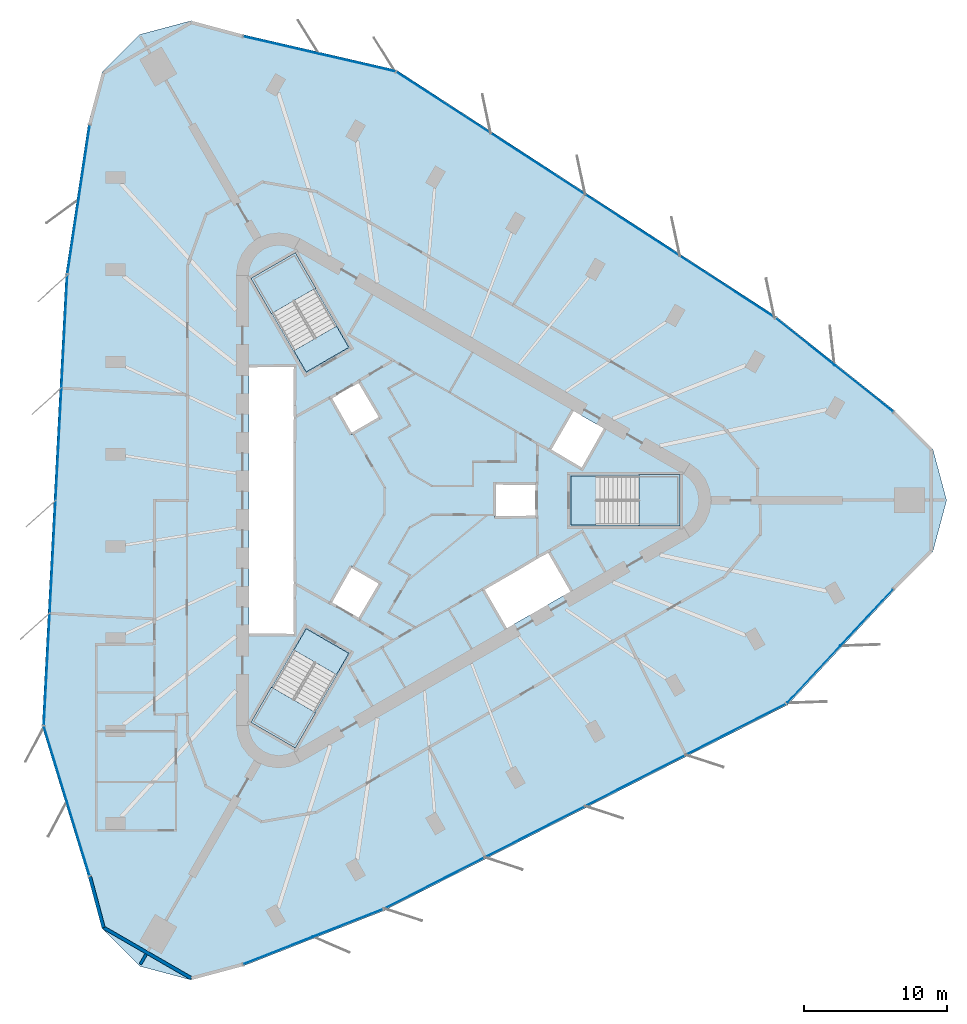
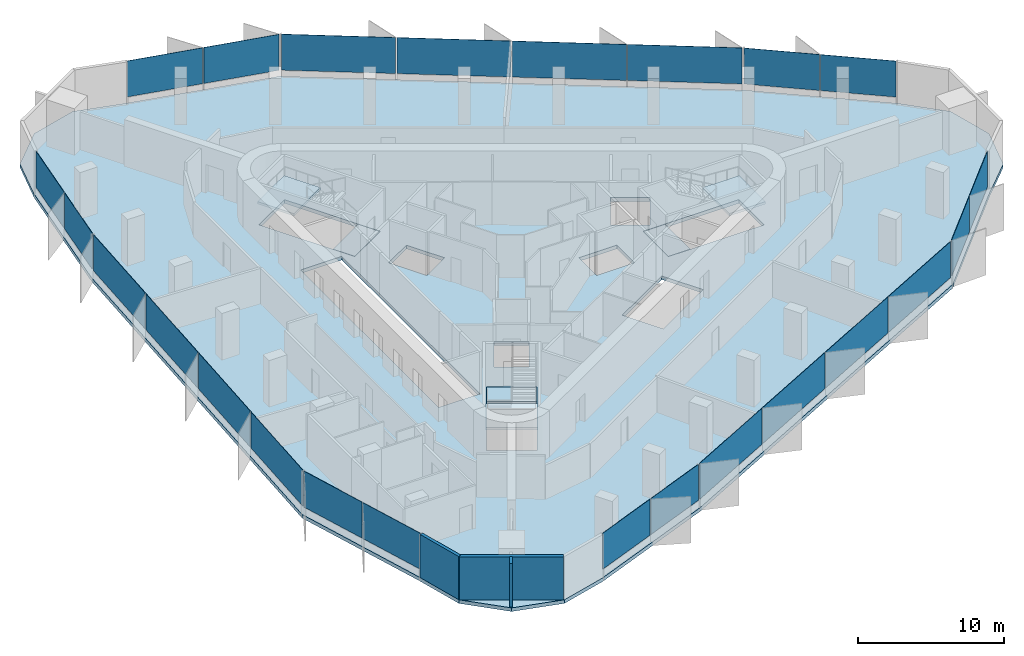
# One storey, part 7 of 13: 24 plates, 7 slabs, 3 walls, 12 elements without a shape of their own.
"""IFC4 building model written with IfcOpenShell, lengths in metres."""

from ifc_helpers import new_model, si_unit, direction, frame, frame_2d, origin, origin_2d, place, context, subcontext, project, spatial, polyline, rectangle, outline, extrude, material, layer, layer_set, type_object, element, aggregate, save


model = new_model("IFC4")

# Units and contexts
model_context = context("Model", 3, precision=1e-05, world=origin(), true_north=direction((0.0, 1.0)))
body_context = subcontext(model_context, "Body", "Model", "MODEL_VIEW")
ifc_project = project(units=[si_unit("LENGTHUNIT", "METRE"), si_unit("AREAUNIT", "SQUARE_METRE"), si_unit("VOLUMEUNIT", "CUBIC_METRE"), si_unit("PLANEANGLEUNIT", "RADIAN"), si_unit("MASSUNIT", "GRAM", prefix="KILO")], contexts=[model_context])

# Site, building, storey
site_placement = place(None, origin())
site = spatial("IfcSite", under=ifc_project, at=site_placement, CompositionType="ELEMENT")
building_placement = place(site_placement, origin())
building = spatial("IfcBuilding", under=site, at=building_placement, Name="Tanit Gate Tower", CompositionType="ELEMENT")
storey_placement = place(building_placement, frame((0.0, 0.0, 314.300048828125)))
storey = spatial("IfcBuildingStorey", under=building, at=storey_placement, Name="L70", CompositionType="ELEMENT", Elevation=314.300048828125)

# Slab
ifc_material_1 = material(Name="Concrete C35/45", Category="concrete")
ifc_layer_1 = layer(ifc_material_1, 0.300048828125)
ifc_layer_set_1 = layer_set([ifc_layer_1], Name="FLOOR SLAB 300 C35/45")
slab_type_1 = type_object("IfcSlabType", Name="FLOOR SLAB 300 C35/45", PredefinedType="FLOOR", material=ifc_layer_set_1)
slab_1_placement = place(storey_placement, frame((0.0, 0.0, -0.300048828125)))
element("IfcSlab", 1, at=slab_1_placement, inside=storey, type_object=slab_type_1, Name="FLOOR SLAB L70", PredefinedType="FLOOR", context=body_context, shape_type="SweptSolid", body=[
    extrude(outline(polyline([(34.07470703125, 6.24951171875), (36.716064453125, 3.608154296875), (37.682861328125, 0.0), (36.716064453125, -3.608154296875), (34.07470703125, -6.24951171875), (26.550048828125, -14.32421875), (-1.6943359375, -28.727294921875), (-11.625244140625, -32.63427734375), (-15.2333984375, -33.60107421875), (-18.84130859375, -32.63427734375), (-21.48291015625, -29.992919921875), (-22.44970703125, -26.385009765625), (-25.68017578125, -15.830810546875), (-24.031494140625, 15.830810546875), (-22.44970703125, 26.385009765625), (-21.48291015625, 29.992919921875), (-18.84130859375, 32.63427734375), (-15.2333984375, 33.60107421875), (-11.625244140625, 32.63427734375), (-0.869873046875, 30.1552734375), (25.7255859375, 12.896484375), (34.07470703125, 6.24951171875)]), holes=[polyline([(11.3701171875, 1.72998046875), (18.929931640625, 1.72998046875), (18.929931640625, -1.72998046875), (11.3701171875, -1.72998046875), (11.3701171875, 1.72998046875)]), polyline([(12.158935546875, 2.159912109375), (9.82080078125, 3.510009765625), (11.44580078125, 6.324462890625), (13.783935546875, 4.974609375), (12.158935546875, 2.159912109375)]), polyline([(11.44580078125, -6.324462890625), (6.76904296875, -9.0244140625), (5.14404296875, -6.2099609375), (9.82080078125, -3.510009765625), (11.44580078125, -6.324462890625)]), polyline([(6.0, 1.199951171875), (9.0, 1.199951171875), (9.0, -1.199951171875), (6.0, -1.199951171875), (6.0, 1.199951171875)]), polyline([(-4.039306640625, 4.59619140625), (-5.539306640625, 7.194091796875), (-3.460693359375, 8.394287109375), (-1.960693359375, 5.796142578125), (-4.039306640625, 4.59619140625)]), polyline([(-1.960693359375, -5.796142578125), (-3.460693359375, -8.394287109375), (-5.539306640625, -7.194091796875), (-4.039306640625, -4.59619140625), (-1.960693359375, -5.796142578125)]), polyline([(-7.18310546875, 8.981689453125), (-10.963134765625, 15.52880859375), (-7.966796875, 17.2587890625), (-4.186767578125, 10.711669921875), (-7.18310546875, 8.981689453125)]), polyline([(-4.186767578125, -10.711669921875), (-7.966796875, -17.2587890625), (-10.963134765625, -15.52880859375), (-7.18310546875, -8.981689453125), (-4.186767578125, -10.711669921875)]), polyline([(-11.199951171875, -9.449951171875), (-11.199951171875, 9.449951171875), (-7.949951171875, 9.449951171875), (-7.949951171875, -9.449951171875), (-11.199951171875, -9.449951171875)])]), origin(), (0.0, 0.0, 1.0), 0.300048828125),
])

# Curtain wall, plates
ifc_material_2 = material(Name="Aluminium bronze anodised and glass", Category="aluminium")
curtain_wall_type = type_object("IfcCurtainWallType", Name="Curtain wall typical high", PredefinedType="NOTDEFINED", material=ifc_material_2)
curtain_wall_1_placement = place(storey_placement, origin())
curtain_wall_1 = element("IfcCurtainWall", 2, at=curtain_wall_1_placement, inside=storey, type_object=curtain_wall_type, Name="Curtain wall L70 NE1", PredefinedType="NOTDEFINED")
ifc_material_3 = material(Name="Glass tinted", Category="glass")
ifc_layer_2 = layer(ifc_material_3, 0.028076171875)
ifc_layer_set_2 = layer_set([ifc_layer_2], Name="Glass panel 28 typical high")
plate_type = type_object("IfcPlateType", Name="Glass panel 28 typical high", PredefinedType="CURTAIN_PANEL", material=ifc_layer_set_2)
plate_1_placement = place(storey_placement, frame((31.894287109375, 7.83203125, 0.599853515625), z_axis=(0.0, 0.0, 1.0), x_axis=(-0.782343945966, 0.622846650637, 0.0)))
plate_1 = element("IfcPlate", 3, at=plate_1_placement, type_object=plate_type, Name="Glass panel L70 NE1.1", PredefinedType="CURTAIN_PANEL", context=body_context, shape_type="SweptSolid", body=[
    extrude(rectangle(XDim=5.209716796875, YDim=0.028076171875, at=origin_2d()), origin(), (0.0, 0.0, 1.0), 3.0),
])
plate_2_placement = place(storey_placement, frame((27.755859375, 11.126708984375, 0.599853515625), z_axis=(0.0, 0.0, 1.0), x_axis=(-0.782343945966, 0.622846650637, 0.0)))
plate_2 = element("IfcPlate", 4, at=plate_2_placement, type_object=plate_type, Name="Glass panel L70 NE1.2", PredefinedType="CURTAIN_PANEL", context=body_context, shape_type="SweptSolid", body=[
    extrude(rectangle(XDim=5.209716796875, YDim=0.028076171875, at=origin_2d()), origin(), (0.0, 0.0, 1.0), 3.0),
])
aggregate(curtain_wall_1, [plate_1, plate_2])

curtain_wall_2_placement = place(storey_placement, origin())
curtain_wall_2 = element("IfcCurtainWall", 5, at=curtain_wall_2_placement, inside=storey, type_object=curtain_wall_type, Name="Curtain wall L70 NE2", PredefinedType="NOTDEFINED")
plate_3_placement = place(storey_placement, frame((22.30859375, 14.970703125, 0.599853515625), z_axis=(0.0, 0.0, 1.0), x_axis=(-0.838852134807, 0.544359344487, 0.0)))
plate_3 = element("IfcPlate", 6, at=plate_3_placement, type_object=plate_type, Name="Glass panel L70 NE2.1", PredefinedType="CURTAIN_PANEL", context=body_context, shape_type="SweptSolid", body=[
    extrude(rectangle(XDim=7.819580078125, YDim=0.028076171875, at=origin_2d()), origin(), (0.0, 0.0, 1.0), 3.0),
])
plate_4_placement = place(storey_placement, frame((15.68212890625, 19.270751953125, 0.599853515625), z_axis=(0.0, 0.0, 1.0), x_axis=(-0.838852134807, 0.544359344487, 0.0)))
plate_4 = element("IfcPlate", 7, at=plate_4_placement, type_object=plate_type, Name="Glass panel L70 NE2.2", PredefinedType="CURTAIN_PANEL", context=body_context, shape_type="SweptSolid", body=[
    extrude(rectangle(XDim=7.8193359375, YDim=0.028076171875, at=origin_2d()), origin(), (0.0, 0.0, 1.0), 3.0),
])
plate_5_placement = place(storey_placement, frame((9.0556640625, 23.571044921875, 0.599853515625), z_axis=(0.0, 0.0, 1.0), x_axis=(-0.838852134807, 0.544359344487, 0.0)))
plate_5 = element("IfcPlate", 8, at=plate_5_placement, type_object=plate_type, Name="Glass panel L70 NE2.3", PredefinedType="CURTAIN_PANEL", context=body_context, shape_type="SweptSolid", body=[
    extrude(rectangle(XDim=7.819580078125, YDim=0.028076171875, at=origin_2d()), origin(), (0.0, 0.0, 1.0), 3.0),
])
plate_6_placement = place(storey_placement, frame((2.42919921875, 27.87109375, 0.599853515625), z_axis=(0.0, 0.0, 1.0), x_axis=(-0.838852134807, 0.544359344487, 0.0)))
plate_6 = element("IfcPlate", 9, at=plate_6_placement, type_object=plate_type, Name="Glass panel L70 NE2.4", PredefinedType="CURTAIN_PANEL", context=body_context, shape_type="SweptSolid", body=[
    extrude(rectangle(XDim=7.8193359375, YDim=0.028076171875, at=origin_2d()), origin(), (0.0, 0.0, 1.0), 3.0),
])
aggregate(curtain_wall_2, [plate_3, plate_4, plate_5, plate_6])

curtain_wall_3_placement = place(storey_placement, origin())
curtain_wall_3 = element("IfcCurtainWall", 10, at=curtain_wall_3_placement, inside=storey, type_object=curtain_wall_type, Name="Curtain wall L70 NE3", PredefinedType="NOTDEFINED")
plate_7_placement = place(storey_placement, frame((-3.62109375, 30.666259765625, 0.599853515625), z_axis=(0.0, 0.0, 1.0), x_axis=(-0.974447016701, 0.224617478487, 0.0)))
plate_7 = element("IfcPlate", 11, at=plate_7_placement, type_object=plate_type, Name="Glass panel L70 NE3.1", PredefinedType="CURTAIN_PANEL", context=body_context, shape_type="SweptSolid", body=[
    extrude(rectangle(XDim=5.38916015625, YDim=0.028076171875, at=origin_2d()), origin(), (0.0, 0.0, 1.0), 3.0),
])
plate_8_placement = place(storey_placement, frame((-8.95068359375, 31.894775390625, 0.599853515625), z_axis=(0.0, 0.0, 1.0), x_axis=(-0.974447016701, 0.224617478487, 0.0)))
plate_8 = element("IfcPlate", 12, at=plate_8_placement, type_object=plate_type, Name="Glass panel L70 NE3.2", PredefinedType="CURTAIN_PANEL", context=body_context, shape_type="SweptSolid", body=[
    extrude(rectangle(XDim=5.38916015625, YDim=0.028076171875, at=origin_2d()), origin(), (0.0, 0.0, 1.0), 3.0),
])
aggregate(curtain_wall_3, [plate_7, plate_8])

curtain_wall_4_placement = place(storey_placement, origin())
curtain_wall_4 = element("IfcCurtainWall", 13, at=curtain_wall_4_placement, inside=storey, type_object=curtain_wall_type, Name="Curtain wall L70 W1", PredefinedType="NOTDEFINED")
plate_9_placement = place(storey_placement, frame((-22.729736328125, 23.705322265625, 0.599853515625), z_axis=(0.0, 0.0, 1.0), x_axis=(-0.148229049131, -0.988953057022, 0.0)))
plate_9 = element("IfcPlate", 14, at=plate_9_placement, type_object=plate_type, Name="Glass panel L70 W1.1", PredefinedType="CURTAIN_PANEL", context=body_context, shape_type="SweptSolid", body=[
    extrude(rectangle(XDim=5.209716796875, YDim=0.028076171875, at=origin_2d()), origin(), (0.0, 0.0, 1.0), 3.0),
])
plate_10_placement = place(storey_placement, frame((-23.513916015625, 18.47412109375, 0.599853515625), z_axis=(0.0, 0.0, 1.0), x_axis=(-0.148229049131, -0.988953057022, 0.0)))
plate_10 = element("IfcPlate", 15, at=plate_10_placement, type_object=plate_type, Name="Glass panel L70 W1.2", PredefinedType="CURTAIN_PANEL", context=body_context, shape_type="SweptSolid", body=[
    extrude(rectangle(XDim=5.209716796875, YDim=0.028076171875, at=origin_2d()), origin(), (0.0, 0.0, 1.0), 3.0),
])
aggregate(curtain_wall_4, [plate_9, plate_10])

curtain_wall_5_placement = place(storey_placement, origin())
curtain_wall_5 = element("IfcCurtainWall", 16, at=curtain_wall_5_placement, inside=storey, type_object=curtain_wall_type, Name="Curtain wall L70 W2", PredefinedType="NOTDEFINED")
plate_11_placement = place(storey_placement, frame((-24.119384765625, 11.83447265625, 0.599853515625), z_axis=(0.0, 0.0, 1.0), x_axis=(-0.05200295371, -0.998646931005, 0.0)))
plate_11 = element("IfcPlate", 17, at=plate_11_placement, type_object=plate_type, Name="Glass panel L70 W2.1", PredefinedType="CURTAIN_PANEL", context=body_context, shape_type="SweptSolid", body=[
    extrude(rectangle(XDim=7.819580078125, YDim=0.028076171875, at=origin_2d()), origin(), (0.0, 0.0, 1.0), 3.0),
])
plate_12_placement = place(storey_placement, frame((-24.5302734375, 3.94580078125, 0.599853515625), z_axis=(0.0, 0.0, 1.0), x_axis=(-0.05200295371, -0.998646931005, 0.0)))
plate_12 = element("IfcPlate", 18, at=plate_12_placement, type_object=plate_type, Name="Glass panel L70 W2.2", PredefinedType="CURTAIN_PANEL", context=body_context, shape_type="SweptSolid", body=[
    extrude(rectangle(XDim=7.8193359375, YDim=0.028076171875, at=origin_2d()), origin(), (0.0, 0.0, 1.0), 3.0),
])
plate_13_placement = place(storey_placement, frame((-24.94091796875, -3.94287109375, 0.599853515625), z_axis=(0.0, 0.0, 1.0), x_axis=(-0.05200295371, -0.998646931005, 0.0)))
plate_13 = element("IfcPlate", 19, at=plate_13_placement, type_object=plate_type, Name="Glass panel L70 W2.3", PredefinedType="CURTAIN_PANEL", context=body_context, shape_type="SweptSolid", body=[
    extrude(rectangle(XDim=7.819580078125, YDim=0.028076171875, at=origin_2d()), origin(), (0.0, 0.0, 1.0), 3.0),
])
plate_14_placement = place(storey_placement, frame((-25.351806640625, -11.831787109375, 0.599853515625), z_axis=(0.0, 0.0, 1.0), x_axis=(-0.05200295371, -0.998646931005, 0.0)))
plate_14 = element("IfcPlate", 20, at=plate_14_placement, type_object=plate_type, Name="Glass panel L70 W2.4", PredefinedType="CURTAIN_PANEL", context=body_context, shape_type="SweptSolid", body=[
    extrude(rectangle(XDim=7.8193359375, YDim=0.028076171875, at=origin_2d()), origin(), (0.0, 0.0, 1.0), 3.0),
])
aggregate(curtain_wall_5, [plate_11, plate_12, plate_13, plate_14])

curtain_wall_6_placement = place(storey_placement, origin())
curtain_wall_6 = element("IfcCurtainWall", 21, at=curtain_wall_6_placement, inside=storey, type_object=curtain_wall_type, Name="Curtain wall L70 W3", PredefinedType="NOTDEFINED")
plate_15_placement = place(storey_placement, frame((-24.7470703125, -18.46923828125, 0.599853515625), z_axis=(0.0, 0.0, 1.0), x_axis=(0.292699065847, -0.956204610349, 0.0)))
plate_15 = element("IfcPlate", 22, at=plate_15_placement, type_object=plate_type, Name="Glass panel L70 W3.1", PredefinedType="CURTAIN_PANEL", context=body_context, shape_type="SweptSolid", body=[
    extrude(rectangle(XDim=5.38916015625, YDim=0.028076171875, at=origin_2d()), origin(), (0.0, 0.0, 1.0), 3.0),
])
plate_16_placement = place(storey_placement, frame((-23.146240234375, -23.69873046875, 0.599853515625), z_axis=(0.0, 0.0, 1.0), x_axis=(0.292699065847, -0.956204610349, 0.0)))
plate_16 = element("IfcPlate", 23, at=plate_16_placement, type_object=plate_type, Name="Glass panel L70 W3.2", PredefinedType="CURTAIN_PANEL", context=body_context, shape_type="SweptSolid", body=[
    extrude(rectangle(XDim=5.38916015625, YDim=0.028076171875, at=origin_2d()), origin(), (0.0, 0.0, 1.0), 3.0),
])
aggregate(curtain_wall_6, [plate_15, plate_16])

curtain_wall_7_placement = place(storey_placement, origin())
curtain_wall_7 = element("IfcCurtainWall", 24, at=curtain_wall_7_placement, inside=storey, type_object=curtain_wall_type, Name="Curtain wall L70 SE1", PredefinedType="NOTDEFINED")
plate_17_placement = place(storey_placement, frame((-9.16455078125, -31.537353515625, 0.599853515625), z_axis=(0.0, 0.0, 1.0), x_axis=(0.930572995097, 0.366106406385, 0.0)))
plate_17 = element("IfcPlate", 25, at=plate_17_placement, type_object=plate_type, Name="Glass panel L70 SE1.1", PredefinedType="CURTAIN_PANEL", context=body_context, shape_type="SweptSolid", body=[
    extrude(rectangle(XDim=5.209716796875, YDim=0.028076171875, at=origin_2d()), origin(), (0.0, 0.0, 1.0), 3.0),
])
plate_18_placement = place(storey_placement, frame((-4.241943359375, -29.6005859375, 0.599853515625), z_axis=(0.0, 0.0, 1.0), x_axis=(0.930572995097, 0.366106406385, 0.0)))
plate_18 = element("IfcPlate", 26, at=plate_18_placement, type_object=plate_type, Name="Glass panel L70 SE1.2", PredefinedType="CURTAIN_PANEL", context=body_context, shape_type="SweptSolid", body=[
    extrude(rectangle(XDim=5.209716796875, YDim=0.028076171875, at=origin_2d()), origin(), (0.0, 0.0, 1.0), 3.0),
])
aggregate(curtain_wall_7, [plate_17, plate_18])

curtain_wall_8_placement = place(storey_placement, origin())
curtain_wall_8 = element("IfcCurtainWall", 27, at=curtain_wall_8_placement, inside=storey, type_object=curtain_wall_type, Name="Curtain wall L70 SE2", PredefinedType="NOTDEFINED")
plate_19_placement = place(storey_placement, frame((1.810791015625, -26.80517578125, 0.599853515625), z_axis=(0.0, 0.0, 1.0), x_axis=(0.890855088516, 0.454287586518, 0.0)))
plate_19 = element("IfcPlate", 28, at=plate_19_placement, type_object=plate_type, Name="Glass panel L70 SE2.1", PredefinedType="CURTAIN_PANEL", context=body_context, shape_type="SweptSolid", body=[
    extrude(rectangle(XDim=7.819580078125, YDim=0.028076171875, at=origin_2d()), origin(), (0.0, 0.0, 1.0), 3.0),
])
plate_20_placement = place(storey_placement, frame((8.847900390625, -23.216552734375, 0.599853515625), z_axis=(0.0, 0.0, 1.0), x_axis=(0.890855088516, 0.454287586518, 0.0)))
plate_20 = element("IfcPlate", 29, at=plate_20_placement, type_object=plate_type, Name="Glass panel L70 SE2.2", PredefinedType="CURTAIN_PANEL", context=body_context, shape_type="SweptSolid", body=[
    extrude(rectangle(XDim=7.8193359375, YDim=0.028076171875, at=origin_2d()), origin(), (0.0, 0.0, 1.0), 3.0),
])
plate_21_placement = place(storey_placement, frame((15.88525390625, -19.6279296875, 0.599853515625), z_axis=(0.0, 0.0, 1.0), x_axis=(0.890855088516, 0.454287586518, 0.0)))
plate_21 = element("IfcPlate", 30, at=plate_21_placement, type_object=plate_type, Name="Glass panel L70 SE2.3", PredefinedType="CURTAIN_PANEL", context=body_context, shape_type="SweptSolid", body=[
    extrude(rectangle(XDim=7.819580078125, YDim=0.028076171875, at=origin_2d()), origin(), (0.0, 0.0, 1.0), 3.0),
])
plate_22_placement = place(storey_placement, frame((22.92236328125, -16.039306640625, 0.599853515625), z_axis=(0.0, 0.0, 1.0), x_axis=(0.890855088516, 0.454287586518, 0.0)))
plate_22 = element("IfcPlate", 31, at=plate_22_placement, type_object=plate_type, Name="Glass panel L70 SE2.4", PredefinedType="CURTAIN_PANEL", context=body_context, shape_type="SweptSolid", body=[
    extrude(rectangle(XDim=7.8193359375, YDim=0.028076171875, at=origin_2d()), origin(), (0.0, 0.0, 1.0), 3.0),
])
aggregate(curtain_wall_8, [plate_19, plate_20, plate_21, plate_22])

curtain_wall_9_placement = place(storey_placement, origin())
curtain_wall_9 = element("IfcCurtainWall", 32, at=curtain_wall_9_placement, inside=storey, type_object=curtain_wall_type, Name="Curtain wall L70 SE3", PredefinedType="NOTDEFINED")
plate_23_placement = place(storey_placement, frame((28.368408203125, -12.197021484375, 0.599853515625), z_axis=(0.0, 0.0, 1.0), x_axis=(0.681747950854, 0.731587131862, 0.0)))
plate_23 = element("IfcPlate", 33, at=plate_23_placement, type_object=plate_type, Name="Glass panel L70 SE3.1", PredefinedType="CURTAIN_PANEL", context=body_context, shape_type="SweptSolid", body=[
    extrude(rectangle(XDim=5.38916015625, YDim=0.028076171875, at=origin_2d()), origin(), (0.0, 0.0, 1.0), 3.0),
])
plate_24_placement = place(storey_placement, frame((32.096923828125, -8.19580078125, 0.599853515625), z_axis=(0.0, 0.0, 1.0), x_axis=(0.681747950854, 0.731587131862, 0.0)))
plate_24 = element("IfcPlate", 34, at=plate_24_placement, type_object=plate_type, Name="Glass panel L70 SE3.2", PredefinedType="CURTAIN_PANEL", context=body_context, shape_type="SweptSolid", body=[
    extrude(rectangle(XDim=5.38916015625, YDim=0.028076171875, at=origin_2d()), origin(), (0.0, 0.0, 1.0), 3.0),
])
aggregate(curtain_wall_9, [plate_23, plate_24])

# Stair, slab
ifc_material_4 = material(Name="Concrete C40/50", Category="concrete")
stair_type = type_object("IfcStairType", Name="INT-STAIR-EXIT", PredefinedType="HALF_TURN_STAIR", material=ifc_material_4)
stair_1_placement = place(storey_placement, origin())
stair_1 = element("IfcStair", 35, at=stair_1_placement, inside=storey, type_object=stair_type, Name="L70 STAIR S1", PredefinedType="HALF_TURN_STAIR")
ifc_material_5 = material(Name="Concrete C40/50", Category="concrete")
ifc_layer_3 = layer(ifc_material_5, 0.199951171875)
ifc_layer_set_3 = layer_set([ifc_layer_3], Name="INT-STAIR-LANDING")
slab_type_2 = type_object("IfcSlabType", Name="INT-STAIR-LANDING", PredefinedType="LANDING", material=ifc_layer_set_3)
slab_2_placement = place(storey_placement, frame((0.0, 0.0, 1.75)))
slab_2 = element("IfcSlab", 36, at=slab_2_placement, type_object=slab_type_2, Name="S1 landing 1", PredefinedType="LANDING", context=body_context, shape_type="SweptSolid", body=[
    extrude(outline(polyline([(16.135986328125, -1.800048828125), (19.0, -1.800048828125), (19.0, 1.800048828125), (16.135986328125, 1.800048828125), (16.135986328125, -1.800048828125)])), origin(), (0.0, 0.0, 1.0), 0.199951171875),
])
aggregate(stair_1, [slab_2])

# Slab
slab_3_placement = place(storey_placement, frame((0.0, 0.0, -0.199951171875)))
element("IfcSlab", 37, at=slab_3_placement, inside=storey, type_object=slab_type_2, Name="S1 floor landing", PredefinedType="LANDING", context=body_context, shape_type="SweptSolid", body=[
    extrude(outline(polyline([(11.3798828125, -1.719970703125), (13.10498046875, -1.719970703125), (13.10498046875, 1.719970703125), (11.3798828125, 1.719970703125), (11.3798828125, -1.719970703125)])), origin(), (0.0, 0.0, 1.0), 0.199951171875),
])

# Stair, slab
stair_2_placement = place(storey_placement, origin())
stair_2 = element("IfcStair", 38, at=stair_2_placement, inside=storey, type_object=stair_type, Name="L70 STAIR S2", PredefinedType="HALF_TURN_STAIR")
slab_4_placement = place(storey_placement, frame((0.0, 0.0, 1.75)))
slab_4 = element("IfcSlab", 39, at=slab_4_placement, type_object=slab_type_2, Name="S2 landing 1", PredefinedType="LANDING", context=body_context, shape_type="SweptSolid", body=[
    extrude(outline(polyline([(-6.5078125, 14.871826171875), (-7.941162109375, 17.3544921875), (-11.058837890625, 15.554443359375), (-9.62548828125, 13.07177734375), (-6.5078125, 14.871826171875)])), origin(), (0.0, 0.0, 1.0), 0.199951171875),
])
aggregate(stair_2, [slab_4])

# Slab
slab_5_placement = place(storey_placement, frame((0.0, 0.0, -0.199951171875)))
element("IfcSlab", 40, at=slab_5_placement, inside=storey, type_object=slab_type_2, Name="S2 floor landing", PredefinedType="LANDING", context=body_context, shape_type="SweptSolid", body=[
    extrude(outline(polyline([(-4.200439453125, 10.71533203125), (-5.0625, 12.20849609375), (-8.04150390625, 10.48828125), (-7.179443359375, 8.995361328125), (-4.200439453125, 10.71533203125)])), origin(), (0.0, 0.0, 1.0), 0.199951171875),
])

# Stair, slab
stair_3_placement = place(storey_placement, origin())
stair_3 = element("IfcStair", 41, at=stair_3_placement, inside=storey, type_object=stair_type, Name="L70 STAIR S3", PredefinedType="HALF_TURN_STAIR")
slab_6_placement = place(storey_placement, frame((0.0, 0.0, 1.75)))
slab_6 = element("IfcSlab", 42, at=slab_6_placement, type_object=slab_type_2, Name="S3 landing 1", PredefinedType="LANDING", context=body_context, shape_type="SweptSolid", body=[
    extrude(outline(polyline([(-9.626953125, -13.07421875), (-11.058837890625, -15.554443359375), (-7.941162109375, -17.3544921875), (-6.509033203125, -14.874267578125), (-9.626953125, -13.07421875)])), origin(), (0.0, 0.0, 1.0), 0.199951171875),
])
aggregate(stair_3, [slab_6])

# Slab
slab_7_placement = place(storey_placement, frame((0.0, 0.0, -0.199951171875)))
element("IfcSlab", 43, at=slab_7_placement, inside=storey, type_object=slab_type_2, Name="S3 floor landing", PredefinedType="LANDING", context=body_context, shape_type="SweptSolid", body=[
    extrude(outline(polyline([(-7.179443359375, -8.995361328125), (-8.0419921875, -10.4892578125), (-5.06298828125, -12.209228515625), (-4.200439453125, -10.71533203125), (-7.179443359375, -8.995361328125)])), origin(), (0.0, 0.0, 1.0), 0.199951171875),
])

# Walls
ifc_material_6 = material(Name="Concrete C30/37 with bronze anodised aluminium cladding", Category="concrete")
ifc_layer_4 = layer(ifc_material_6, 0.239990234375)
ifc_layer_set_4 = layer_set([ifc_layer_4], Name="Facade wall bronze clad 240")
wall_type_1 = type_object("IfcWallType", Name="Facade wall bronze clad 240", PredefinedType="SOLIDWALL", material=ifc_layer_set_4)
wall_1_placement = place(storey_placement, frame((-22.334228515625, -26.351806640625, 0.0), z_axis=(0.0, 0.0, 1.0), x_axis=(0.258810736071, -0.965928052649, 0.0)))
element("IfcWall", 44, at=wall_1_placement, inside=storey, type_object=wall_type_1, Name="Bronze-clad facade wall L70 SW.arc1", PredefinedType="SOLIDWALL", context=body_context, shape_type="SweptSolid", body=[
    extrude(rectangle(XDim=3.705322265625, YDim=0.239990234375, at=frame_2d((1.8525390625, 0.0))), origin(), (0.0, 0.0, 1.0), 3.599853515625),
])
wall_2_placement = place(storey_placement, frame((-21.375244140625, -29.930908203125, 0.0), z_axis=(0.0, 0.0, 1.0), x_axis=(0.866031377081, -0.499989653803, 0.0)))
element("IfcWall", 45, at=wall_2_placement, inside=storey, type_object=wall_type_1, Name="Bronze-clad facade wall L70 SW.arc2", PredefinedType="SOLIDWALL", context=body_context, shape_type="SweptSolid", body=[
    extrude(rectangle(XDim=7.092041015625, YDim=0.239990234375, at=frame_2d((3.5458984375, 0.0))), origin(), (0.0, 0.0, 1.0), 3.599853515625),
])
ifc_material_7 = material(Name="Fire-rated gypsum board partition")
ifc_layer_5 = layer(ifc_material_7, 0.199951171875)
ifc_layer_set_5 = layer_set([ifc_layer_5], Name="INT-WALL-COMPARTMENT")
wall_type_2 = type_object("IfcWallType", Name="INT-WALL-COMPARTMENT", PredefinedType="PARTITIONING", material=ifc_layer_set_5)
wall_3_placement = place(storey_placement, frame((-18.39013671875, -31.792724609375, 0.0), z_axis=(0.0, 0.0, 1.0), x_axis=(-0.499970888758, -0.866042210515, 0.0)))
element("IfcWall", 46, at=wall_3_placement, inside=storey, type_object=wall_type_2, Name="Wall Compartment W118x1", PredefinedType="PARTITIONING", context=body_context, shape_type="SweptSolid", body=[
    extrude(rectangle(XDim=0.822265625, YDim=0.199951171875, at=frame_2d((0.4111328125, 0.0))), origin(), (0.0, 0.0, 1.0), 3.599853515625),
])

save(model, "model.ifc")
